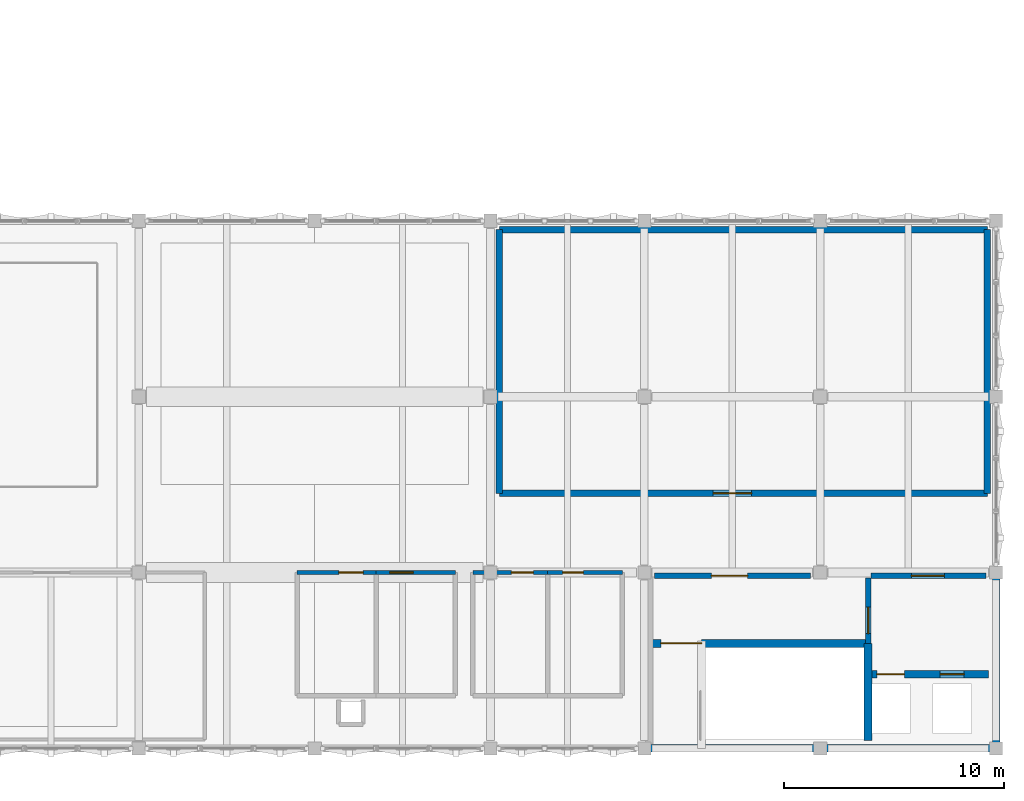
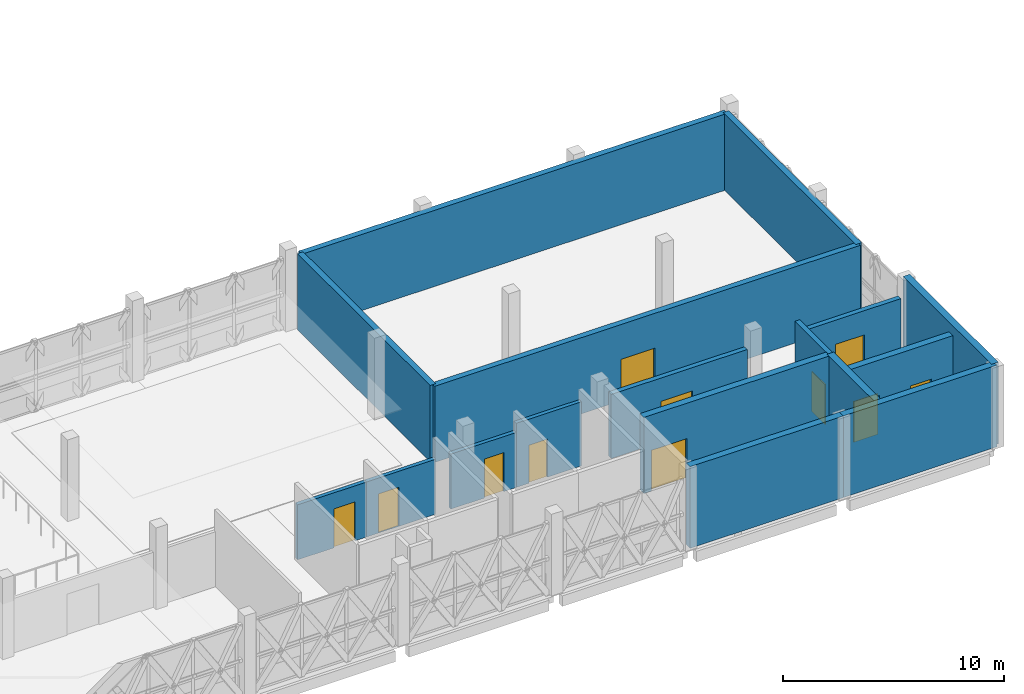
# One storey, part 38 of 43: 17 walls, 11 doors, 11 openings.
"""IFC4 building model written with IfcOpenShell, lengths in metres."""

from ifc_helpers import new_model, si_unit, direction, frame, frame_2d, origin, place, context, subcontext, project, spatial, rectangle, extrude, material, layer, layer_set, type_object, element, fill, save


model = new_model("IFC4")

# Units and contexts
model_context = context("Model", 3, precision=1e-05, world=origin(), true_north=direction((0.0, 1.0)))
body_context = subcontext(model_context, "Body", "Model", "MODEL_VIEW")
ifc_project = project(units=[si_unit("LENGTHUNIT", "METRE"), si_unit("AREAUNIT", "SQUARE_METRE"), si_unit("VOLUMEUNIT", "CUBIC_METRE"), si_unit("PLANEANGLEUNIT", "RADIAN"), si_unit("MASSUNIT", "GRAM", prefix="KILO")], contexts=[model_context])

# Site, building, storey
site_placement = place(None, origin())
site = spatial("IfcSite", under=ifc_project, at=site_placement, CompositionType="ELEMENT")
building_placement = place(site_placement, origin())
building = spatial("IfcBuilding", under=site, at=building_placement, Name="Qorikala Patio Media Centre", CompositionType="ELEMENT")
storey_placement = place(building_placement, frame((0.0, 0.0, 18.89990234375)))
storey = spatial("IfcBuildingStorey", under=building, at=storey_placement, Name="L04", CompositionType="ELEMENT", Elevation=18.89990234375)

# Wall, opening, door
ifc_material_1 = material(Name="Concrete C35/45", Category="concrete")
ifc_layer_1 = layer(ifc_material_1, 0.300048828125)
ifc_layer_set_1 = layer_set([ifc_layer_1], Name="Concrete C35/45")
wall_type_1 = type_object("IfcWallType", Name="WL-AC-300", PredefinedType="SHEAR", material=ifc_layer_set_1)
wall_1_placement = place(storey_placement, frame((75.39990234375, 14.60009765625, 0.0), z_axis=(0.0, 0.0, 1.0), x_axis=(1.0, 0.0, 0.0)))
wall_1 = element("IfcWall", 1, at=wall_1_placement, inside=storey, type_object=wall_type_1, Name="L04 Interior Wall WINT-L04-COM2-S", PredefinedType="SHEAR", context=body_context, shape_type="SweptSolid", body=[
    extrude(rectangle(XDim=22.2001953125, YDim=0.300048828125, at=frame_2d((11.10009765625, 0.0))), origin(), (0.0, 0.0, 1.0), 4.2001953125),
])
opening_1_placement = place(wall_1_placement, frame((9.72412109375, 0.0, 0.0)))
opening_1 = element("IfcOpeningElement", 2, at=opening_1_placement, cuts=wall_1, Name="Opening D304", PredefinedType="OPENING", context=body_context, shape_type="SweptSolid", body=[
    extrude(rectangle(XDim=1.75, YDim=2.280029296875, at=frame_2d((0.875, 1.14013671875))), frame((0.0, 0.159912109375, 0.0), z_axis=(0.0, -1.0, 0.0), x_axis=(1.0, 0.0, 0.0)), (0.0, 0.0, 1.0), 0.320068359375),
])
ifc_material_2 = material(Name="Powder-Coated Acoustic Fire Steel", Category="steel")
door_type_1 = type_object("IfcDoorType", Name="DR-FD60-175X228", OperationType="DOUBLE_DOOR_SINGLE_SWING", PredefinedType="DOOR", material=ifc_material_2)
door_1_placement = place(opening_1_placement, origin())
door_1 = element("IfcDoor", 3, at=door_1_placement, inside=storey, type_object=door_type_1, Name="Community Screening Room 2 Door 093", OperationType="DOUBLE_DOOR_SINGLE_SWING", OverallHeight=2.280029296875, OverallWidth=1.75, PredefinedType="DOOR", context=body_context, shape_type="SweptSolid", body=[
    extrude(rectangle(XDim=1.75, YDim=2.280029296875, at=frame_2d((0.875, 1.14013671875))), frame((0.0, 0.02490234375, 0.0), z_axis=(0.0, -1.0, 0.0), x_axis=(1.0, 0.0, 0.0)), (0.0, 0.0, 1.0), 0.050048828125),
])
fill(opening_1, door_1)

# Walls
wall_2_placement = place(storey_placement, frame((97.60009765625, 14.60009765625, 0.0), z_axis=(0.0, 0.0, 1.0), x_axis=(0.0, 1.0, 0.0)))
element("IfcWall", 4, at=wall_2_placement, inside=storey, type_object=wall_type_1, Name="L04 Interior Wall WINT-L04-COM2-E", PredefinedType="SHEAR", context=body_context, shape_type="SweptSolid", body=[
    extrude(rectangle(XDim=12.0, YDim=0.300048828125, at=frame_2d((6.0, 0.0))), origin(), (0.0, 0.0, 1.0), 4.2001953125),
])
wall_3_placement = place(storey_placement, frame((75.39990234375, 26.60009765625, 0.0), z_axis=(0.0, 0.0, 1.0), x_axis=(1.0, 0.0, 0.0)))
element("IfcWall", 5, at=wall_3_placement, inside=storey, type_object=wall_type_1, Name="L04 Interior Wall WINT-L04-COM2-N", PredefinedType="SHEAR", context=body_context, shape_type="SweptSolid", body=[
    extrude(rectangle(XDim=22.2001953125, YDim=0.300048828125, at=frame_2d((11.10009765625, 0.0))), origin(), (0.0, 0.0, 1.0), 4.2001953125),
])
wall_4_placement = place(storey_placement, frame((75.39990234375, 14.60009765625, 0.0), z_axis=(0.0, 0.0, 1.0), x_axis=(0.0, 1.0, 0.0)))
element("IfcWall", 6, at=wall_4_placement, inside=storey, type_object=wall_type_1, Name="L04 Interior Wall WINT-L04-COM2-W", PredefinedType="SHEAR", context=body_context, shape_type="SweptSolid", body=[
    extrude(rectangle(XDim=12.0, YDim=0.300048828125, at=frame_2d((6.0, 0.0))), origin(), (0.0, 0.0, 1.0), 4.2001953125),
])
ifc_layer_2 = layer(ifc_material_1, 0.35009765625)
ifc_layer_set_2 = layer_set([ifc_layer_2], Name="Concrete C35/45")
wall_type_2 = type_object("IfcWallType", Name="WL-CORE-350", PredefinedType="SHEAR", material=ifc_layer_set_2)
for number, where, z_axis, x_axis, name in (
    (7, (98.0, 11.0, 0.0), (0.0, 0.0, 1.0), (0.0, -1.0, 0.0), "L04 Core C4 Exterior Shear Wall"),
    (8, (98.0, 3.0, 0.0), (0.0, 0.0, 1.0), (-1.0, 0.0, 0.0), "L04 Core C4 Exterior Shear Wall"),
    (9, (90.0, 3.0, 0.0), (0.0, 0.0, 1.0), (-1.0, 0.0, 0.0), "L04 Core C4 Exterior Shear Wall"),
):
    element("IfcWall", number, at=place(storey_placement, frame(where, z_axis=z_axis, x_axis=x_axis)), inside=storey, type_object=wall_type_2, Name=name, PredefinedType="SHEAR", context=body_context, shape_type="SweptSolid", body=[
        extrude(rectangle(XDim=8.0, YDim=0.35009765625, at=frame_2d((4.0, 0.0))), origin(), (0.0, 0.0, 1.0), 4.5),
    ])
wall_5_placement = place(storey_placement, frame((92.175048828125, 3.35009765625, 0.0), z_axis=(0.0, 0.0, 1.0), x_axis=(0.0, 1.0, 0.0)))
element("IfcWall", 10, at=wall_5_placement, inside=storey, type_object=wall_type_2, Name="L04 Interior Wall CW-L04-C4-SE", PredefinedType="SHEAR", context=body_context, shape_type="SweptSolid", body=[
    extrude(rectangle(XDim=4.4248046875, YDim=0.35009765625, at=frame_2d((2.21240234375, 0.0))), origin(), (0.0, 0.0, 1.0), 4.2001953125),
])

# Wall, opening, door
wall_6_placement = place(storey_placement, frame((82.35009765625, 7.77490234375, 0.0), z_axis=(0.0, 0.0, 1.0), x_axis=(1.0, 0.0, 0.0)))
wall_6 = element("IfcWall", 11, at=wall_6_placement, inside=storey, type_object=wall_type_2, Name="L04 Interior Wall CW-L04-C4-SN", PredefinedType="SHEAR", context=body_context, shape_type="SweptSolid", body=[
    extrude(rectangle(XDim=9.824951171875, YDim=0.35009765625, at=frame_2d((4.91259765625, 0.0))), origin(), (0.0, 0.0, 1.0), 4.2001953125),
])
opening_2_placement = place(wall_6_placement, frame((0.39990234375, 0.0, 0.0)))
opening_2 = element("IfcOpeningElement", 12, at=opening_2_placement, cuts=wall_6, Name="Opening D139", PredefinedType="OPENING", context=body_context, shape_type="SweptSolid", body=[
    extrude(rectangle(XDim=1.85009765625, YDim=2.25, at=frame_2d((0.925048828125, 1.125))), frame((0.0, 0.18505859375, 0.0), z_axis=(0.0, -1.0, 0.0), x_axis=(1.0, 0.0, 0.0)), (0.0, 0.0, 1.0), 0.3701171875),
])
door_type_2 = type_object("IfcDoorType", Name="DR-FD60-185X225", OperationType="DOUBLE_DOOR_SINGLE_SWING", PredefinedType="DOOR", material=ifc_material_2)
door_2_placement = place(opening_2_placement, origin())
door_2 = element("IfcDoor", 13, at=door_2_placement, inside=storey, type_object=door_type_2, Name="L04 Stair ST-4 Fire Door", OperationType="DOUBLE_DOOR_SINGLE_SWING", OverallHeight=2.25, OverallWidth=1.85009765625, PredefinedType="DOOR", context=body_context, shape_type="SweptSolid", body=[
    extrude(rectangle(XDim=1.85009765625, YDim=2.25, at=frame_2d((0.925048828125, 1.125))), frame((0.0, 0.02490234375, 0.0), z_axis=(0.0, -1.0, 0.0), x_axis=(1.0, 0.0, 0.0)), (0.0, 0.0, 1.0), 0.050048828125),
])
fill(opening_2, door_2)

# Wall, openings, doors
wall_7_placement = place(storey_placement, frame((92.175048828125, 6.375, 0.0), z_axis=(0.0, 0.0, 1.0), x_axis=(1.0, 0.0, 0.0)))
wall_7 = element("IfcWall", 14, at=wall_7_placement, inside=storey, type_object=wall_type_2, Name="L04 Interior Wall CW-L04-C4-LFN", PredefinedType="SHEAR", context=body_context, shape_type="SweptSolid", body=[
    extrude(rectangle(XDim=5.474853515625, YDim=0.35009765625, at=frame_2d((2.7373046875, 0.0))), origin(), (0.0, 0.0, 1.0), 4.2001953125),
])
opening_3_placement = place(wall_7_placement, frame((0.39990234375, 0.0, 0.0)))
opening_3 = element("IfcOpeningElement", 15, at=opening_3_placement, cuts=wall_7, Name="Opening LD39", PredefinedType="OPENING", context=body_context, shape_type="SweptSolid", body=[
    extrude(rectangle(XDim=1.25, YDim=2.25, at=frame_2d((0.625, 1.125))), frame((0.0, 0.18505859375, 0.0), z_axis=(0.0, -1.0, 0.0), x_axis=(1.0, 0.0, 0.0)), (0.0, 0.0, 1.0), 0.3701171875),
])
opening_4_placement = place(wall_7_placement, frame((3.27490234375, 0.0, 0.0)))
opening_4 = element("IfcOpeningElement", 16, at=opening_4_placement, cuts=wall_7, Name="Opening LD40", PredefinedType="OPENING", context=body_context, shape_type="SweptSolid", body=[
    extrude(rectangle(XDim=1.10009765625, YDim=2.199951171875, at=frame_2d((0.550048828125, 1.10009765625))), frame((0.0, 0.18505859375, 0.0), z_axis=(0.0, -1.0, 0.0), x_axis=(1.0, 0.0, 0.0)), (0.0, 0.0, 1.0), 0.3701171875),
])
ifc_material_3 = material(Name="Brushed Bronze Stainless Steel", Category="steel")
door_type_3 = type_object("IfcDoorType", Name="DR-LD-110X220", OperationType="DOUBLE_DOOR_SLIDING", PredefinedType="DOOR", material=ifc_material_3)
door_3_placement = place(opening_4_placement, origin())
door_3 = element("IfcDoor", 17, at=door_3_placement, inside=storey, type_object=door_type_3, Name="L04 Lift LP-02 Sliding Landing Door", OperationType="DOUBLE_DOOR_SLIDING", OverallHeight=2.199951171875, OverallWidth=1.10009765625, PredefinedType="DOOR", context=body_context, shape_type="SweptSolid", body=[
    extrude(rectangle(XDim=1.10009765625, YDim=2.199951171875, at=frame_2d((0.550048828125, 1.10009765625))), frame((0.0, 0.02490234375, 0.0), z_axis=(0.0, -1.0, 0.0), x_axis=(1.0, 0.0, 0.0)), (0.0, 0.0, 1.0), 0.050048828125),
])
fill(opening_4, door_3)
door_type_4 = type_object("IfcDoorType", Name="DR-LD-125X225", OperationType="DOUBLE_DOOR_SLIDING", PredefinedType="DOOR", material=ifc_material_3)
door_4_placement = place(opening_3_placement, origin())
door_4 = element("IfcDoor", 18, at=door_4_placement, inside=storey, type_object=door_type_4, Name="L04 Lift LP-01 Sliding Landing Door", OperationType="DOUBLE_DOOR_SLIDING", OverallHeight=2.25, OverallWidth=1.25, PredefinedType="DOOR", context=body_context, shape_type="SweptSolid", body=[
    extrude(rectangle(XDim=1.25, YDim=2.25, at=frame_2d((0.625, 1.125))), frame((0.0, 0.02490234375, 0.0), z_axis=(0.0, -1.0, 0.0), x_axis=(1.0, 0.0, 0.0)), (0.0, 0.0, 1.0), 0.050048828125),
])
fill(opening_3, door_4)

# Wall, opening, door
ifc_layer_3 = layer(ifc_material_1, 0.25)
ifc_layer_set_3 = layer_set([ifc_layer_3], Name="Concrete C35/45")
wall_type_3 = type_object("IfcWallType", Name="WL-FFL-250", PredefinedType="PARTITIONING", material=ifc_layer_set_3)
wall_8_placement = place(storey_placement, frame((92.175048828125, 7.77490234375, 0.0), z_axis=(0.0, 0.0, 1.0), x_axis=(0.0, 1.0, 0.0)))
wall_8 = element("IfcWall", 19, at=wall_8_placement, inside=storey, type_object=wall_type_3, Name="L04 Interior Wall CW-L04-C4-LBD", PredefinedType="PARTITIONING", context=body_context, shape_type="SweptSolid", body=[
    extrude(rectangle(XDim=2.97509765625, YDim=0.25, at=frame_2d((1.487548828125, 0.0))), origin(), (0.0, 0.0, 1.0), 4.2001953125),
])
opening_5_placement = place(wall_8_placement, frame((0.449951171875, 0.0, 0.0)))
opening_5 = element("IfcOpeningElement", 20, at=opening_5_placement, cuts=wall_8, Name="Opening D140", PredefinedType="OPENING", context=body_context, shape_type="SweptSolid", body=[
    extrude(rectangle(XDim=1.199951171875, YDim=2.199951171875, at=frame_2d((0.60009765625, 1.10009765625))), frame((0.0, 0.135009765625, 0.0), z_axis=(0.0, -1.0, 0.0), x_axis=(1.0, 0.0, 0.0)), (0.0, 0.0, 1.0), 0.27001953125),
])
ifc_material_4 = material(Name="Acoustic Fire Timber and Steel", Category="steel")
door_type_5 = type_object("IfcDoorType", Name="DR-FD60-120X220", OperationType="NOTDEFINED", PredefinedType="DOOR", material=ifc_material_4)
door_5_placement = place(opening_5_placement, origin())
door_5 = element("IfcDoor", 21, at=door_5_placement, inside=storey, type_object=door_type_5, Name="L04 Core C4 Firefighting Lobby Cross Door", OperationType="SINGLE_SWING_RIGHT", OverallHeight=2.199951171875, OverallWidth=1.199951171875, PredefinedType="DOOR", context=body_context, shape_type="SweptSolid", body=[
    extrude(rectangle(XDim=1.199951171875, YDim=2.199951171875, at=frame_2d((0.60009765625, 1.10009765625))), frame((0.0, 0.02490234375, 0.0), z_axis=(0.0, -1.0, 0.0), x_axis=(1.0, 0.0, 0.0)), (0.0, 0.0, 1.0), 0.050048828125),
])
fill(opening_5, door_5)

wall_9_placement = place(storey_placement, frame((82.449951171875, 10.85009765625, 0.0), z_axis=(0.0, 0.0, 1.0), x_axis=(1.0, 0.0, 0.0)))
wall_9 = element("IfcWall", 22, at=wall_9_placement, inside=storey, type_object=wall_type_3, Name="L04 Interior Wall CW-L04-C4-CN1", PredefinedType="PARTITIONING", context=body_context, shape_type="SweptSolid", body=[
    extrude(rectangle(XDim=7.10009765625, YDim=0.25, at=frame_2d((3.550048828125, 0.0))), origin(), (0.0, 0.0, 1.0), 3.53515625),
])
opening_6_placement = place(wall_9_placement, frame((2.60009765625, 0.0, 0.0)))
opening_6 = element("IfcOpeningElement", 23, at=opening_6_placement, cuts=wall_9, Name="Opening D141", PredefinedType="OPENING", context=body_context, shape_type="SweptSolid", body=[
    extrude(rectangle(XDim=1.64990234375, YDim=2.25, at=frame_2d((0.824951171875, 1.125))), frame((0.0, 0.135009765625, 0.0), z_axis=(0.0, -1.0, 0.0), x_axis=(1.0, 0.0, 0.0)), (0.0, 0.0, 1.0), 0.27001953125),
])
door_type_6 = type_object("IfcDoorType", Name="DR-FD60-165X225", OperationType="DOUBLE_DOOR_SINGLE_SWING", PredefinedType="DOOR", material=ifc_material_2)
door_6_placement = place(opening_6_placement, frame((1.64990234375, 0.0, 0.0), z_axis=(0.0, 0.0, 1.0), x_axis=(-1.0, 0.0, 0.0)))
door_6 = element("IfcDoor", 24, at=door_6_placement, inside=storey, type_object=door_type_6, Name="L04 Core C4 Vestibule Door", OperationType="DOUBLE_DOOR_SINGLE_SWING", OverallHeight=2.25, OverallWidth=1.64990234375, PredefinedType="DOOR", context=body_context, shape_type="SweptSolid", body=[
    extrude(rectangle(XDim=1.64990234375, YDim=2.25, at=frame_2d((0.824951171875, 1.125))), frame((0.0, 0.02490234375, 0.0), z_axis=(0.0, -1.0, 0.0), x_axis=(1.0, 0.0, 0.0)), (0.0, 0.0, 1.0), 0.050048828125),
])
fill(opening_6, door_6)

wall_10_placement = place(storey_placement, frame((92.300048828125, 10.85009765625, 0.0), z_axis=(0.0, 0.0, 1.0), x_axis=(1.0, 0.0, 0.0)))
wall_10 = element("IfcWall", 25, at=wall_10_placement, inside=storey, type_object=wall_type_3, Name="L04 Interior Wall CW-L04-C4-CN2", PredefinedType="PARTITIONING", context=body_context, shape_type="SweptSolid", body=[
    extrude(rectangle(XDim=5.25, YDim=0.25, at=frame_2d((2.625, 0.0))), origin(), (0.0, 0.0, 1.0), 3.53515625),
])
opening_7_placement = place(wall_10_placement, frame((1.85009765625, 0.0, 0.0)))
opening_7 = element("IfcOpeningElement", 26, at=opening_7_placement, cuts=wall_10, Name="Opening D142", PredefinedType="OPENING", context=body_context, shape_type="SweptSolid", body=[
    extrude(rectangle(XDim=1.5, YDim=2.199951171875, at=frame_2d((0.75, 1.10009765625))), frame((0.0, 0.135009765625, 0.0), z_axis=(0.0, -1.0, 0.0), x_axis=(1.0, 0.0, 0.0)), (0.0, 0.0, 1.0), 0.27001953125),
])
door_type_7 = type_object("IfcDoorType", Name="DR-FD60-150X220", OperationType="DOUBLE_DOOR_SINGLE_SWING", PredefinedType="DOOR", material=ifc_material_2)
door_7_placement = place(opening_7_placement, origin())
door_7 = element("IfcDoor", 27, at=door_7_placement, inside=storey, type_object=door_type_7, Name="L04 Core C4 Firefighting Lobby Door", OperationType="DOUBLE_DOOR_SINGLE_SWING", OverallHeight=2.199951171875, OverallWidth=1.5, PredefinedType="DOOR", context=body_context, shape_type="SweptSolid", body=[
    extrude(rectangle(XDim=1.5, YDim=2.199951171875, at=frame_2d((0.75, 1.10009765625))), frame((0.0, 0.02490234375, 0.0), z_axis=(0.0, -1.0, 0.0), x_axis=(1.0, 0.0, 0.0)), (0.0, 0.0, 1.0), 0.050048828125),
])
fill(opening_7, door_7)

ifc_material_5 = material(Name="Acoustic Masonry and Plaster Concrete C30/37", Category="masonry")
ifc_layer_4 = layer(ifc_material_5, 0.199951171875)
ifc_layer_set_4 = layer_set([ifc_layer_4], Name="Acoustic Masonry and Plaster Concrete C30/37")
wall_type_4 = type_object("IfcWallType", Name="WL-ST-200", PredefinedType="PARTITIONING", material=ifc_layer_set_4)
wall_11_placement = place(storey_placement, frame((66.199951171875, 11.0, 0.0), z_axis=(0.0, 0.0, 1.0), x_axis=(1.0, 0.0, 0.0)))
wall_11 = element("IfcWall", 28, at=wall_11_placement, inside=storey, type_object=wall_type_4, Name="L04 Interior Wall WINT-L04-L4WMWC-N", PredefinedType="PARTITIONING", context=body_context, shape_type="SweptSolid", body=[
    extrude(rectangle(XDim=3.60009765625, YDim=0.199951171875, at=frame_2d((1.800048828125, 0.0))), origin(), (0.0, 0.0, 1.0), 3.03515625),
])
opening_8_placement = place(wall_11_placement, frame((1.89990234375, 0.0, 0.0)))
opening_8 = element("IfcOpeningElement", 29, at=opening_8_placement, cuts=wall_11, Name="Opening D306", PredefinedType="OPENING", context=body_context, shape_type="SweptSolid", body=[
    extrude(rectangle(XDim=1.10009765625, YDim=2.14990234375, at=frame_2d((0.550048828125, 1.074951171875))), frame((0.0, 0.10986328125, 0.0), z_axis=(0.0, -1.0, 0.0), x_axis=(1.0, 0.0, 0.0)), (0.0, 0.0, 1.0), 0.219970703125),
])
door_type_8 = type_object("IfcDoorType", Name="DR-FD60-110X215", OperationType="NOTDEFINED", PredefinedType="DOOR", material=ifc_material_4)
door_8_placement = place(opening_8_placement, origin())
door_8 = element("IfcDoor", 30, at=door_8_placement, inside=storey, type_object=door_type_8, Name="Male Toilet Door 095", OperationType="SINGLE_SWING_RIGHT", OverallHeight=2.14990234375, OverallWidth=1.10009765625, PredefinedType="DOOR", context=body_context, shape_type="SweptSolid", body=[
    extrude(rectangle(XDim=1.10009765625, YDim=2.14990234375, at=frame_2d((0.550048828125, 1.074951171875))), frame((0.0, 0.02490234375, 0.0), z_axis=(0.0, -1.0, 0.0), x_axis=(1.0, 0.0, 0.0)), (0.0, 0.0, 1.0), 0.050048828125),
])
fill(opening_8, door_8)

wall_12_placement = place(storey_placement, frame((69.800048828125, 11.0, 0.0), z_axis=(0.0, 0.0, 1.0), x_axis=(1.0, 0.0, 0.0)))
wall_12 = element("IfcWall", 31, at=wall_12_placement, inside=storey, type_object=wall_type_4, Name="L04 Interior Wall WINT-L04-L4WFWC-N", PredefinedType="PARTITIONING", context=body_context, shape_type="SweptSolid", body=[
    extrude(rectangle(XDim=3.599853515625, YDim=0.199951171875, at=frame_2d((1.7998046875, 0.0))), origin(), (0.0, 0.0, 1.0), 3.03515625),
])
opening_9_placement = place(wall_12_placement, frame((0.625, 0.0, 0.0)))
opening_9 = element("IfcOpeningElement", 32, at=opening_9_placement, cuts=wall_12, Name="Opening D307", PredefinedType="OPENING", context=body_context, shape_type="SweptSolid", body=[
    extrude(rectangle(XDim=1.050048828125, YDim=2.159912109375, at=frame_2d((0.52490234375, 1.080078125))), frame((0.0, 0.10986328125, 0.0), z_axis=(0.0, -1.0, 0.0), x_axis=(1.0, 0.0, 0.0)), (0.0, 0.0, 1.0), 0.219970703125),
])
door_type_9 = type_object("IfcDoorType", Name="DR-FD60-105X216", OperationType="NOTDEFINED", PredefinedType="DOOR", material=ifc_material_4)
door_9_placement = place(opening_9_placement, origin())
door_9 = element("IfcDoor", 33, at=door_9_placement, inside=storey, type_object=door_type_9, Name="Female Toilet Door 096", OperationType="SINGLE_SWING_LEFT", OverallHeight=2.159912109375, OverallWidth=1.050048828125, PredefinedType="DOOR", context=body_context, shape_type="SweptSolid", body=[
    extrude(rectangle(XDim=1.050048828125, YDim=2.159912109375, at=frame_2d((0.52490234375, 1.080078125))), frame((0.0, 0.02490234375, 0.0), z_axis=(0.0, -1.0, 0.0), x_axis=(1.0, 0.0, 0.0)), (0.0, 0.0, 1.0), 0.050048828125),
])
fill(opening_9, door_9)

wall_13_placement = place(storey_placement, frame((74.199951171875, 11.0, 0.0), z_axis=(0.0, 0.0, 1.0), x_axis=(1.0, 0.0, 0.0)))
wall_13 = element("IfcWall", 34, at=wall_13_placement, inside=storey, type_object=wall_type_4, Name="L04 Interior Wall WINT-L04-L4WAWC-N", PredefinedType="PARTITIONING", context=body_context, shape_type="SweptSolid", body=[
    extrude(rectangle(XDim=3.400146484375, YDim=0.199951171875, at=frame_2d((1.7001953125, 0.0))), origin(), (0.0, 0.0, 1.0), 3.03515625),
])
opening_10_placement = place(wall_13_placement, frame((1.75, 0.0, 0.0)))
opening_10 = element("IfcOpeningElement", 35, at=opening_10_placement, cuts=wall_13, Name="Opening D308", PredefinedType="OPENING", context=body_context, shape_type="SweptSolid", body=[
    extrude(rectangle(XDim=1.0, YDim=2.14990234375, at=frame_2d((0.5, 1.074951171875))), frame((0.0, 0.10986328125, 0.0), z_axis=(0.0, -1.0, 0.0), x_axis=(1.0, 0.0, 0.0)), (0.0, 0.0, 1.0), 0.219970703125),
])
door_type_10 = type_object("IfcDoorType", Name="DR-FD60-100X215", OperationType="NOTDEFINED", PredefinedType="DOOR", material=ifc_material_4)
door_10_placement = place(opening_10_placement, origin())
door_10 = element("IfcDoor", 36, at=door_10_placement, inside=storey, type_object=door_type_10, Name="Accessible Toilet Door 097", OperationType="SINGLE_SWING_RIGHT", OverallHeight=2.14990234375, OverallWidth=1.0, PredefinedType="DOOR", context=body_context, shape_type="SweptSolid", body=[
    extrude(rectangle(XDim=1.0, YDim=2.14990234375, at=frame_2d((0.5, 1.074951171875))), frame((0.0, 0.02490234375, 0.0), z_axis=(0.0, -1.0, 0.0), x_axis=(1.0, 0.0, 0.0)), (0.0, 0.0, 1.0), 0.050048828125),
])
fill(opening_10, door_10)

wall_14_placement = place(storey_placement, frame((77.60009765625, 11.0, 0.0), z_axis=(0.0, 0.0, 1.0), x_axis=(1.0, 0.0, 0.0)))
wall_14 = element("IfcWall", 37, at=wall_14_placement, inside=storey, type_object=wall_type_4, Name="L04 Interior Wall WINT-L04-L4WSTR-N", PredefinedType="PARTITIONING", context=body_context, shape_type="SweptSolid", body=[
    extrude(rectangle(XDim=3.39990234375, YDim=0.199951171875, at=frame_2d((1.699951171875, 0.0))), origin(), (0.0, 0.0, 1.0), 3.53515625),
])
opening_11_placement = place(wall_14_placement, frame((0.675048828125, 0.0, 0.0)))
opening_11 = element("IfcOpeningElement", 38, at=opening_11_placement, cuts=wall_14, Name="Opening D309", PredefinedType="OPENING", context=body_context, shape_type="SweptSolid", body=[
    extrude(rectangle(XDim=0.949951171875, YDim=2.10009765625, at=frame_2d((0.47509765625, 1.050048828125))), frame((0.0, 0.10986328125, 0.0), z_axis=(0.0, -1.0, 0.0), x_axis=(1.0, 0.0, 0.0)), (0.0, 0.0, 1.0), 0.219970703125),
])
ifc_material_6 = material(Name="Acoustic Fire Timber", Category="wood")
door_type_11 = type_object("IfcDoorType", Name="DR-FD60-095X210", OperationType="NOTDEFINED", PredefinedType="DOOR", material=ifc_material_6)
door_11_placement = place(opening_11_placement, origin())
door_11 = element("IfcDoor", 39, at=door_11_placement, inside=storey, type_object=door_type_11, Name="Technical Equipment Store Door 098", OperationType="SINGLE_SWING_LEFT", OverallHeight=2.10009765625, OverallWidth=0.949951171875, PredefinedType="DOOR", context=body_context, shape_type="SweptSolid", body=[
    extrude(rectangle(XDim=0.949951171875, YDim=2.10009765625, at=frame_2d((0.47509765625, 1.050048828125))), frame((0.0, 0.02490234375, 0.0), z_axis=(0.0, -1.0, 0.0), x_axis=(1.0, 0.0, 0.0)), (0.0, 0.0, 1.0), 0.050048828125),
])
fill(opening_11, door_11)

save(model, "model.ifc")
